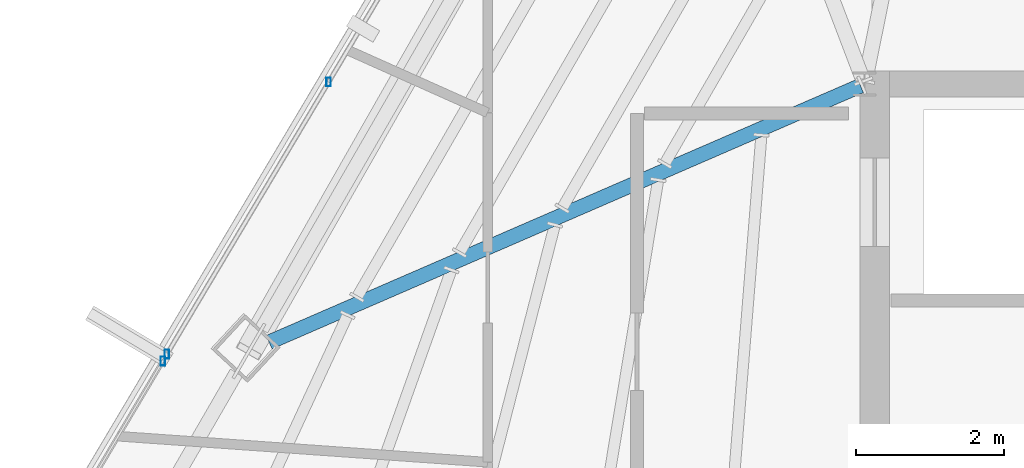
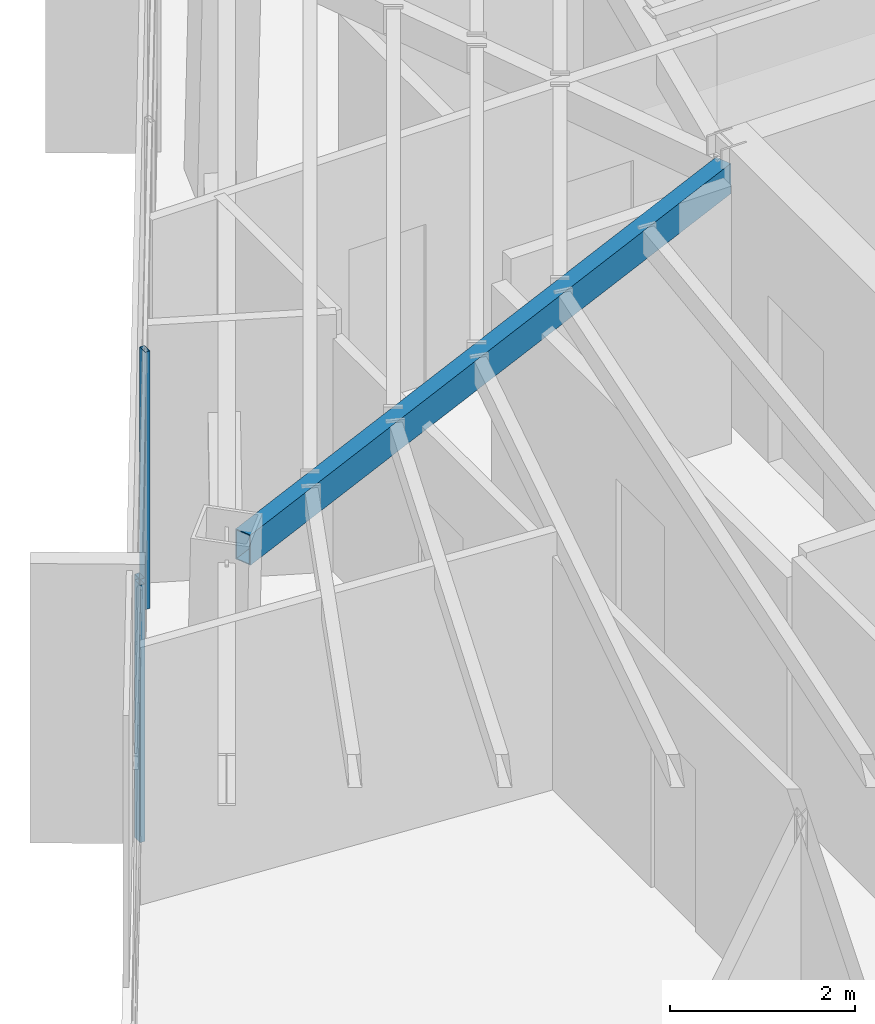
# One storey, part 15 of 45: 3 members, 1 beam, 2 elements without a shape of their own.
"""IFC4 building model written with IfcOpenShell, lengths in metres."""

from ifc_helpers import new_model, si_unit, direction, frame, origin, origin_2d, place, context, subcontext, project, spatial, hollow_rectangle, extrude, source, transform, mapped, material, material_profile, profile_set, type_object, type_shapes, element, aggregate, save


model = new_model("IFC4")

# Units and contexts
model_context = context("Model", 3, precision=1e-05, world=origin(), true_north=direction((0.0, 1.0)))
body_context = subcontext(model_context, "Body", "Model", "MODEL_VIEW")
ifc_project = project(units=[si_unit("LENGTHUNIT", "METRE"), si_unit("AREAUNIT", "SQUARE_METRE"), si_unit("VOLUMEUNIT", "CUBIC_METRE"), si_unit("PLANEANGLEUNIT", "RADIAN"), si_unit("MASSUNIT", "GRAM", prefix="KILO")], contexts=[model_context])

# Site, building, storey
site_placement = place(None, origin())
site = spatial("IfcSite", under=ifc_project, at=site_placement, CompositionType="ELEMENT")
building_placement = place(site_placement, origin())
building = spatial("IfcBuilding", under=site, at=building_placement, Name="Caelisora Broadcast Tower", CompositionType="ELEMENT")
storey_placement = place(building_placement, frame((0.0, 0.0, 240.800048828125)))
storey = spatial("IfcBuildingStorey", under=building, at=storey_placement, Name="L63", CompositionType="ELEMENT", Elevation=240.800048828125)

# Beam
ifc_material_1 = material(Name="Steel Grade 350 (AS/NZS 1163 C350L0)", Category="steel")
ifc_material_profile_1 = material_profile(ifc_material_1, hollow_rectangle(XDim=0.199951171875, YDim=0.39990234375, WallThickness=0.012451171875, at=origin_2d()), Name="Steel Grade 350 (AS/NZS 1163 C350L0)")
ifc_profile_set_1 = profile_set([ifc_material_profile_1], Name="Steel Grade 350 (AS/NZS 1163 C350L0)")
beam_type = type_object("IfcBeamType", Name="PG07", PredefinedType="BEAM", material=ifc_profile_set_1)
shared_shape_1 = source(origin(), body_context, "Body", "SweptSolid", [
    extrude(hollow_rectangle(XDim=0.199951171875, YDim=0.39990234375, WallThickness=0.012451171875, at=origin_2d()), origin(), (0.0, 0.0, 1.0), 8.725830078125),
])
type_shapes(beam_type, [shared_shape_1])
beam_placement = place(storey_placement, frame((30.445068359375, 29.97607421875, 3.199951171875), z_axis=(-0.917418447845, -0.397923851452, 0.0), x_axis=(0.397923851452, -0.917418447845, 0.0)))
element("IfcBeam", 1, at=beam_placement, inside=storey, type_object=beam_type, Name="L63 beam PG07", PredefinedType="BEAM", context=body_context, shape_type="MappedRepresentation", body=[
    mapped(shared_shape_1, transform((0.0, 0.0, 0.0), scale=1.0)),
])

# Curtain wall, member
ifc_material_2 = material(Name="Unitised Aluminium and Low-E Glass Curtain Wall", Category="glass")
curtain_wall_type_1 = type_object("IfcCurtainWallType", Name="CW-Z5", PredefinedType="NOTDEFINED", material=ifc_material_2)
curtain_wall_1_placement = place(storey_placement, origin())
curtain_wall_1 = element("IfcCurtainWall", 2, at=curtain_wall_1_placement, inside=storey, type_object=curtain_wall_type_1, Name="L63 curtain wall CW-Z5", PredefinedType="NOTDEFINED")
ifc_material_3 = material(Name="Aluminium 6063-T6 Anodised Terracotta Bronze", Category="aluminium")
ifc_material_profile_2 = material_profile(ifc_material_3, hollow_rectangle(XDim=0.06005859375, YDim=0.1201171875, WallThickness=0.0029296875, at=origin_2d()), Name="Aluminium 6063-T6 Anodised Terracotta Bronze")
ifc_profile_set_2 = profile_set([ifc_material_profile_2], Name="Aluminium 6063-T6 Anodised Terracotta Bronze")
member_type = type_object("IfcMemberType", Name="CWM-04", PredefinedType="MULLION", material=ifc_profile_set_2)
shared_shape_2 = source(origin(), body_context, "Body", "SweptSolid", [
    extrude(hollow_rectangle(XDim=0.06005859375, YDim=0.1201171875, WallThickness=0.0029296875, at=origin_2d()), origin(), (0.0, 0.0, 1.0), 3.39990234375),
])
type_shapes(member_type, [shared_shape_2])
member_1_placement = place(storey_placement, frame((20.999755859375, 26.247802734375, 0.0), z_axis=(0.0, 0.0, 1.0), x_axis=(1.0, 0.0, 0.0)))
member_1 = element("IfcMember", 3, at=member_1_placement, type_object=member_type, Name="L63-CW-B09 mullion #3", PredefinedType="MULLION", context=body_context, shape_type="MappedRepresentation", body=[
    mapped(shared_shape_2, transform((0.0, 0.0, 0.0), scale=1.0)),
])
aggregate(curtain_wall_1, [member_1])

# Curtain wall, members
ifc_material_4 = material(Name="Unitised Aluminium Insulated Shadow-Box Spandrel Curtain Wall", Category="aluminium")
curtain_wall_type_2 = type_object("IfcCurtainWallType", Name="CW-SP3", PredefinedType="NOTDEFINED", material=ifc_material_4)
curtain_wall_2_placement = place(storey_placement, origin())
curtain_wall_2 = element("IfcCurtainWall", 4, at=curtain_wall_2_placement, inside=storey, type_object=curtain_wall_type_2, Name="L63 curtain wall CW-SP3", PredefinedType="NOTDEFINED")
member_2_placement = place(storey_placement, frame((21.055908203125, 26.34228515625, 0.0), z_axis=(0.0, 0.0, 1.0), x_axis=(1.0, 0.0, 0.0)))
member_2 = element("IfcMember", 5, at=member_2_placement, type_object=member_type, Name="L63-CW-B10 mullion #0", PredefinedType="MULLION", context=body_context, shape_type="MappedRepresentation", body=[
    mapped(shared_shape_2, transform((0.0, 0.0, 0.0), scale=1.0)),
])
member_3_placement = place(storey_placement, frame((23.245849609375, 30.026611328125, 0.0), z_axis=(0.0, 0.0, 1.0), x_axis=(1.0, 0.0, 0.0)))
member_3 = element("IfcMember", 6, at=member_3_placement, type_object=member_type, Name="L63-CW-B10 mullion #1", PredefinedType="MULLION", context=body_context, shape_type="MappedRepresentation", body=[
    mapped(shared_shape_2, transform((0.0, 0.0, 0.0), scale=1.0)),
])
aggregate(curtain_wall_2, [member_2, member_3])

save(model, "model.ifc")
